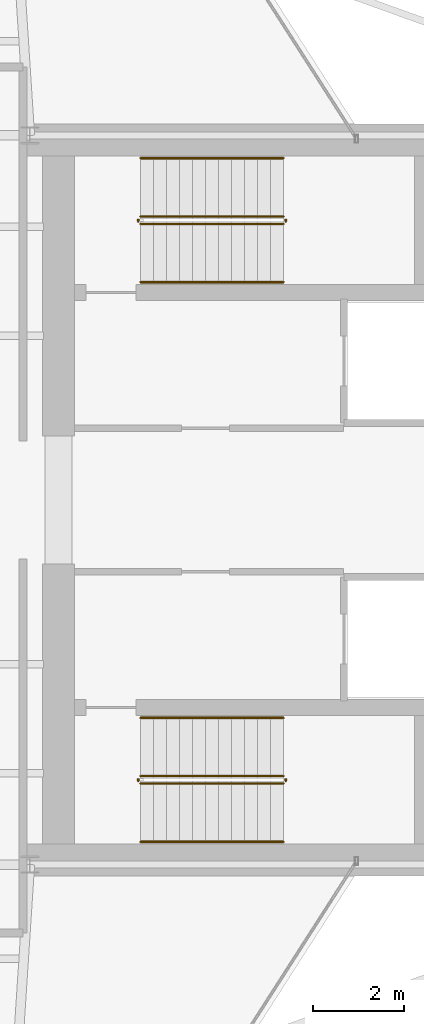
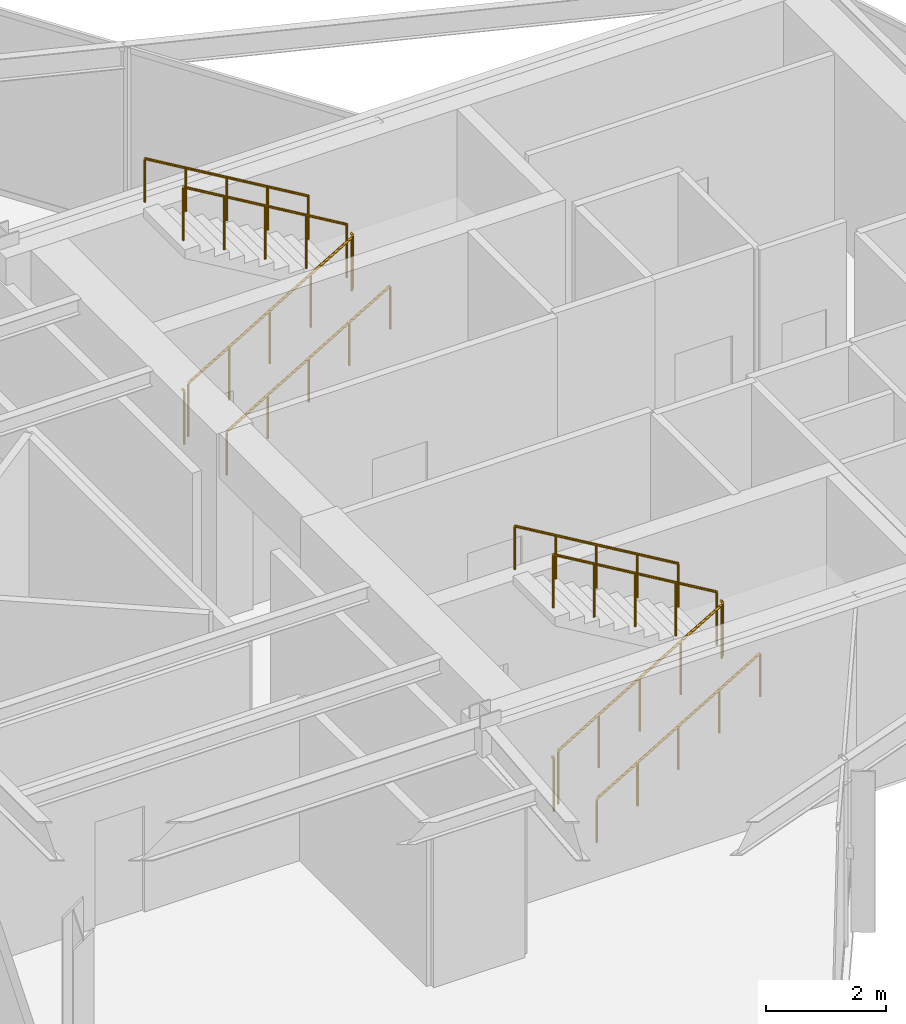
# One storey, part 23 of 23: 12 railings.
"""IFC4 building model written with IfcOpenShell, lengths in metres."""

from ifc_helpers import new_model, si_unit, direction, frame, origin, origin_2d, place, context, subcontext, project, spatial, circle, extrude, material, type_object, element, save


model = new_model("IFC4")

# Units and contexts
model_context = context("Model", 3, precision=1e-05, world=origin(), true_north=direction((0.0, 1.0)))
body_context = subcontext(model_context, "Body", "Model", "MODEL_VIEW")
ifc_project = project(units=[si_unit("LENGTHUNIT", "METRE"), si_unit("AREAUNIT", "SQUARE_METRE"), si_unit("VOLUMEUNIT", "CUBIC_METRE"), si_unit("PLANEANGLEUNIT", "RADIAN"), si_unit("MASSUNIT", "GRAM", prefix="KILO")], contexts=[model_context])

# Site, building, storey
site_placement = place(None, origin())
site = spatial("IfcSite", under=ifc_project, at=site_placement, CompositionType="ELEMENT")
building_placement = place(site_placement, origin())
building = spatial("IfcBuilding", under=site, at=building_placement, Name="Veymaron Broadcast Tower", CompositionType="ELEMENT")
storey_placement = place(building_placement, frame((0.0, 0.0, 195.89990234375)))
storey = spatial("IfcBuildingStorey", under=building, at=storey_placement, Name="L45", CompositionType="ELEMENT", Elevation=195.89990234375)

# Railings
ifc_material_1 = material(Name="Brushed stainless steel AISI 304", Category="steel")
railing_type_1 = type_object("IfcRailingType", Name="RAIL-STAIR-HR", PredefinedType="HANDRAIL", material=ifc_material_1)
railing_1_placement = place(storey_placement, frame((41.429931640625, 28.780029296875, 0.1689453125)))
element("IfcRailing", 1, at=railing_1_placement, inside=storey, type_object=railing_type_1, Name="L45 ST1 stair handrail 1", PredefinedType="HANDRAIL", context=body_context, shape_type="SweptSolid", body=[
    extrude(circle(Radius=0.02392578125, at=origin_2d()), frame((0.0, 0.0, 0.8759765625), z_axis=(0.860481960309, 0.0, 0.509480908359), x_axis=(0.0, 1.0, 0.0)), (0.0, 0.0, 1.0), 3.643310546875),
    extrude(circle(Radius=0.02099609375, at=origin_2d()), origin(), (0.0, 0.0, 1.0), 0.851806640625),
    extrude(circle(Radius=0.02099609375, at=origin_2d()), frame((0.78369140625, 0.0, 0.464111328125)), (0.0, 0.0, 1.0), 0.851806640625),
    extrude(circle(Radius=0.02099609375, at=origin_2d()), frame((1.5673828125, 0.0, 0.92822265625)), (0.0, 0.0, 1.0), 0.851806640625),
    extrude(circle(Radius=0.02099609375, at=origin_2d()), frame((2.351318359375, 0.0, 1.39208984375)), (0.0, 0.0, 1.0), 0.851806640625),
    extrude(circle(Radius=0.02099609375, at=origin_2d()), frame((3.135009765625, 0.0, 1.856201171875)), (0.0, 0.0, 1.0), 0.851806640625),
])
railing_2_placement = place(storey_placement, frame((44.56494140625, 31.5, 2.19384765625)))
element("IfcRailing", 2, at=railing_2_placement, inside=storey, type_object=railing_type_1, Name="L45 ST1 stair handrail 2", PredefinedType="HANDRAIL", context=body_context, shape_type="SweptSolid", body=[
    extrude(circle(Radius=0.02392578125, at=origin_2d()), frame((0.0, 0.0, 0.8759765625), z_axis=(-0.860481960309, 0.0, 0.509480908359), x_axis=(0.0, -1.0, 0.0)), (0.0, 0.0, 1.0), 3.643310546875),
    extrude(circle(Radius=0.02099609375, at=origin_2d()), origin(), (0.0, 0.0, 1.0), 0.851806640625),
    extrude(circle(Radius=0.02099609375, at=origin_2d()), frame((-0.78369140625, 0.0, 0.464111328125)), (0.0, 0.0, 1.0), 0.851806640625),
    extrude(circle(Radius=0.02099609375, at=origin_2d()), frame((-1.5673828125, 0.0, 0.92822265625)), (0.0, 0.0, 1.0), 0.851806640625),
    extrude(circle(Radius=0.02099609375, at=origin_2d()), frame((-2.351318359375, 0.0, 1.39208984375)), (0.0, 0.0, 1.0), 0.851806640625),
    extrude(circle(Radius=0.02099609375, at=origin_2d()), frame((-3.135009765625, 0.0, 1.856201171875)), (0.0, 0.0, 1.0), 0.851806640625),
])
railing_3_placement = place(storey_placement, frame((41.429931640625, 16.5, 0.1689453125)))
element("IfcRailing", 3, at=railing_3_placement, inside=storey, type_object=railing_type_1, Name="L45 ST2 stair handrail 1", PredefinedType="HANDRAIL", context=body_context, shape_type="SweptSolid", body=[
    extrude(circle(Radius=0.02392578125, at=origin_2d()), frame((0.0, 0.0, 0.8759765625), z_axis=(0.860481960309, 0.0, 0.509480908359), x_axis=(0.0, 1.0, 0.0)), (0.0, 0.0, 1.0), 3.643310546875),
    extrude(circle(Radius=0.02099609375, at=origin_2d()), origin(), (0.0, 0.0, 1.0), 0.851806640625),
    extrude(circle(Radius=0.02099609375, at=origin_2d()), frame((0.78369140625, 0.0, 0.464111328125)), (0.0, 0.0, 1.0), 0.851806640625),
    extrude(circle(Radius=0.02099609375, at=origin_2d()), frame((1.5673828125, 0.0, 0.92822265625)), (0.0, 0.0, 1.0), 0.851806640625),
    extrude(circle(Radius=0.02099609375, at=origin_2d()), frame((2.351318359375, 0.0, 1.39208984375)), (0.0, 0.0, 1.0), 0.851806640625),
    extrude(circle(Radius=0.02099609375, at=origin_2d()), frame((3.135009765625, 0.0, 1.856201171875)), (0.0, 0.0, 1.0), 0.851806640625),
])
railing_4_placement = place(storey_placement, frame((44.56494140625, 19.219970703125, 2.19384765625)))
element("IfcRailing", 4, at=railing_4_placement, inside=storey, type_object=railing_type_1, Name="L45 ST2 stair handrail 2", PredefinedType="HANDRAIL", context=body_context, shape_type="SweptSolid", body=[
    extrude(circle(Radius=0.02392578125, at=origin_2d()), frame((0.0, 0.0, 0.8759765625), z_axis=(-0.860481960309, 0.0, 0.509480908359), x_axis=(0.0, -1.0, 0.0)), (0.0, 0.0, 1.0), 3.643310546875),
    extrude(circle(Radius=0.02099609375, at=origin_2d()), origin(), (0.0, 0.0, 1.0), 0.851806640625),
    extrude(circle(Radius=0.02099609375, at=origin_2d()), frame((-0.78369140625, 0.0, 0.464111328125)), (0.0, 0.0, 1.0), 0.851806640625),
    extrude(circle(Radius=0.02099609375, at=origin_2d()), frame((-1.5673828125, 0.0, 0.92822265625)), (0.0, 0.0, 1.0), 0.851806640625),
    extrude(circle(Radius=0.02099609375, at=origin_2d()), frame((-2.351318359375, 0.0, 1.39208984375)), (0.0, 0.0, 1.0), 0.851806640625),
    extrude(circle(Radius=0.02099609375, at=origin_2d()), frame((-3.135009765625, 0.0, 1.856201171875)), (0.0, 0.0, 1.0), 0.851806640625),
])
ifc_material_2 = material(Name="Painted galvanized steel balustrade", Category="steel")
railing_type_2 = type_object("IfcRailingType", Name="RAIL-WELL-GRD", PredefinedType="GUARDRAIL", material=ifc_material_2)
railing_5_placement = place(storey_placement, frame((41.429931640625, 30.06005859375, 0.1689453125)))
element("IfcRailing", 5, at=railing_5_placement, inside=storey, type_object=railing_type_2, Name="L45 ST1 stair guard 1", PredefinedType="GUARDRAIL", context=body_context, shape_type="SweptSolid", body=[
    extrude(circle(Radius=0.02392578125, at=origin_2d()), frame((0.0, 0.0, 1.076171875), z_axis=(0.860481960309, 0.0, 0.509480908359), x_axis=(0.0, 1.0, 0.0)), (0.0, 0.0, 1.0), 3.643310546875),
    extrude(circle(Radius=0.02099609375, at=origin_2d()), origin(), (0.0, 0.0, 1.0), 1.052001953125),
    extrude(circle(Radius=0.02099609375, at=origin_2d()), frame((0.78369140625, 0.0, 0.464111328125)), (0.0, 0.0, 1.0), 1.052001953125),
    extrude(circle(Radius=0.02099609375, at=origin_2d()), frame((1.5673828125, 0.0, 0.92822265625)), (0.0, 0.0, 1.0), 1.052001953125),
    extrude(circle(Radius=0.02099609375, at=origin_2d()), frame((2.351318359375, 0.0, 1.39208984375)), (0.0, 0.0, 1.0), 1.052001953125),
    extrude(circle(Radius=0.02099609375, at=origin_2d()), frame((3.135009765625, 0.0, 1.856201171875)), (0.0, 0.0, 1.0), 1.052001953125),
])
railing_6_placement = place(storey_placement, frame((44.614990234375, 30.110107421875, 2.025146484375)))
element("IfcRailing", 6, at=railing_6_placement, inside=storey, type_object=railing_type_2, Name="L45 ST1 stair guard 2", PredefinedType="GUARDRAIL", context=body_context, shape_type="SweptSolid", body=[
    extrude(circle(Radius=0.02392578125, at=origin_2d()), frame((0.0, 0.0, 1.076171875), z_axis=(0.0, 1.0, 0.0), x_axis=(-1.0, 0.0, 0.0)), (0.0, 0.0, 1.0), 0.059814453125),
    extrude(circle(Radius=0.02099609375, at=origin_2d()), origin(), (0.0, 0.0, 1.0), 1.052001953125),
])
railing_7_placement = place(storey_placement, frame((44.56494140625, 30.219970703125, 2.19384765625)))
element("IfcRailing", 7, at=railing_7_placement, inside=storey, type_object=railing_type_2, Name="L45 ST1 stair guard 3", PredefinedType="GUARDRAIL", context=body_context, shape_type="SweptSolid", body=[
    extrude(circle(Radius=0.02392578125, at=origin_2d()), frame((0.0, 0.0, 1.076171875), z_axis=(-0.860481960309, 0.0, 0.509480908359), x_axis=(0.0, -1.0, 0.0)), (0.0, 0.0, 1.0), 3.643310546875),
    extrude(circle(Radius=0.02099609375, at=origin_2d()), origin(), (0.0, 0.0, 1.0), 1.052001953125),
    extrude(circle(Radius=0.02099609375, at=origin_2d()), frame((-0.78369140625, 0.0, 0.464111328125)), (0.0, 0.0, 1.0), 1.052001953125),
    extrude(circle(Radius=0.02099609375, at=origin_2d()), frame((-1.5673828125, 0.0, 0.92822265625)), (0.0, 0.0, 1.0), 1.052001953125),
    extrude(circle(Radius=0.02099609375, at=origin_2d()), frame((-2.351318359375, 0.0, 1.39208984375)), (0.0, 0.0, 1.0), 1.052001953125),
    extrude(circle(Radius=0.02099609375, at=origin_2d()), frame((-3.135009765625, 0.0, 1.856201171875)), (0.0, 0.0, 1.0), 1.052001953125),
])
railing_8_placement = place(storey_placement, frame((41.3798828125, 30.110107421875, 0.0)))
element("IfcRailing", 8, at=railing_8_placement, inside=storey, type_object=railing_type_2, Name="L45 ST1 stair guard 4", PredefinedType="GUARDRAIL", context=body_context, shape_type="SweptSolid", body=[
    extrude(circle(Radius=0.02392578125, at=origin_2d()), frame((0.0, 0.0, 1.076171875), z_axis=(0.0, 1.0, 0.0), x_axis=(-1.0, 0.0, 0.0)), (0.0, 0.0, 1.0), 0.059814453125),
    extrude(circle(Radius=0.02099609375, at=origin_2d()), origin(), (0.0, 0.0, 1.0), 1.052001953125),
])
railing_9_placement = place(storey_placement, frame((41.429931640625, 17.780029296875, 0.1689453125)))
element("IfcRailing", 9, at=railing_9_placement, inside=storey, type_object=railing_type_2, Name="L45 ST2 stair guard 1", PredefinedType="GUARDRAIL", context=body_context, shape_type="SweptSolid", body=[
    extrude(circle(Radius=0.02392578125, at=origin_2d()), frame((0.0, 0.0, 1.076171875), z_axis=(0.860481960309, 0.0, 0.509480908359), x_axis=(0.0, 1.0, 0.0)), (0.0, 0.0, 1.0), 3.643310546875),
    extrude(circle(Radius=0.02099609375, at=origin_2d()), origin(), (0.0, 0.0, 1.0), 1.052001953125),
    extrude(circle(Radius=0.02099609375, at=origin_2d()), frame((0.78369140625, 0.0, 0.464111328125)), (0.0, 0.0, 1.0), 1.052001953125),
    extrude(circle(Radius=0.02099609375, at=origin_2d()), frame((1.5673828125, 0.0, 0.92822265625)), (0.0, 0.0, 1.0), 1.052001953125),
    extrude(circle(Radius=0.02099609375, at=origin_2d()), frame((2.351318359375, 0.0, 1.39208984375)), (0.0, 0.0, 1.0), 1.052001953125),
    extrude(circle(Radius=0.02099609375, at=origin_2d()), frame((3.135009765625, 0.0, 1.856201171875)), (0.0, 0.0, 1.0), 1.052001953125),
])
railing_10_placement = place(storey_placement, frame((44.614990234375, 17.830078125, 2.025146484375)))
element("IfcRailing", 10, at=railing_10_placement, inside=storey, type_object=railing_type_2, Name="L45 ST2 stair guard 2", PredefinedType="GUARDRAIL", context=body_context, shape_type="SweptSolid", body=[
    extrude(circle(Radius=0.02392578125, at=origin_2d()), frame((0.0, 0.0, 1.076171875), z_axis=(0.0, 1.0, 0.0), x_axis=(-1.0, 0.0, 0.0)), (0.0, 0.0, 1.0), 0.059814453125),
    extrude(circle(Radius=0.02099609375, at=origin_2d()), origin(), (0.0, 0.0, 1.0), 1.052001953125),
])
railing_11_placement = place(storey_placement, frame((44.56494140625, 17.93994140625, 2.19384765625)))
element("IfcRailing", 11, at=railing_11_placement, inside=storey, type_object=railing_type_2, Name="L45 ST2 stair guard 3", PredefinedType="GUARDRAIL", context=body_context, shape_type="SweptSolid", body=[
    extrude(circle(Radius=0.02392578125, at=origin_2d()), frame((0.0, 0.0, 1.076171875), z_axis=(-0.860481960309, 0.0, 0.509480908359), x_axis=(0.0, -1.0, 0.0)), (0.0, 0.0, 1.0), 3.643310546875),
    extrude(circle(Radius=0.02099609375, at=origin_2d()), origin(), (0.0, 0.0, 1.0), 1.052001953125),
    extrude(circle(Radius=0.02099609375, at=origin_2d()), frame((-0.78369140625, 0.0, 0.464111328125)), (0.0, 0.0, 1.0), 1.052001953125),
    extrude(circle(Radius=0.02099609375, at=origin_2d()), frame((-1.5673828125, 0.0, 0.92822265625)), (0.0, 0.0, 1.0), 1.052001953125),
    extrude(circle(Radius=0.02099609375, at=origin_2d()), frame((-2.351318359375, 0.0, 1.39208984375)), (0.0, 0.0, 1.0), 1.052001953125),
    extrude(circle(Radius=0.02099609375, at=origin_2d()), frame((-3.135009765625, 0.0, 1.856201171875)), (0.0, 0.0, 1.0), 1.052001953125),
])
railing_12_placement = place(storey_placement, frame((41.3798828125, 17.830078125, 0.0)))
element("IfcRailing", 12, at=railing_12_placement, inside=storey, type_object=railing_type_2, Name="L45 ST2 stair guard 4", PredefinedType="GUARDRAIL", context=body_context, shape_type="SweptSolid", body=[
    extrude(circle(Radius=0.02392578125, at=origin_2d()), frame((0.0, 0.0, 1.076171875), z_axis=(0.0, 1.0, 0.0), x_axis=(-1.0, 0.0, 0.0)), (0.0, 0.0, 1.0), 0.059814453125),
    extrude(circle(Radius=0.02099609375, at=origin_2d()), origin(), (0.0, 0.0, 1.0), 1.052001953125),
])

save(model, "model.ifc")
